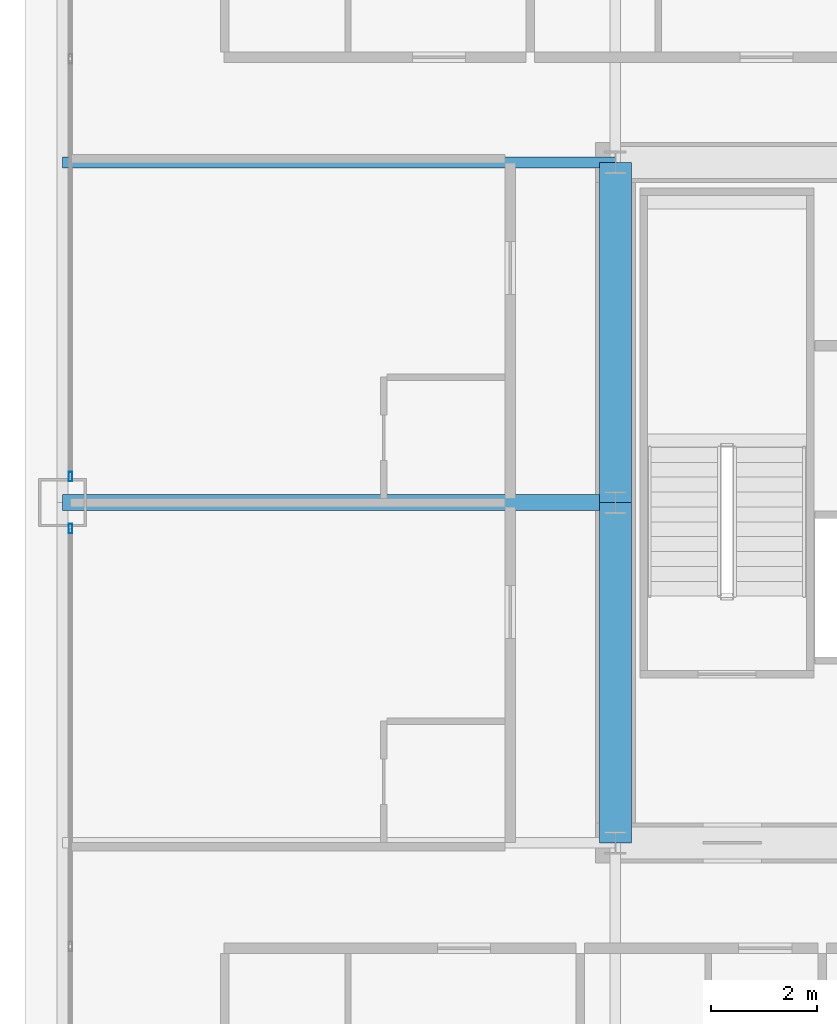
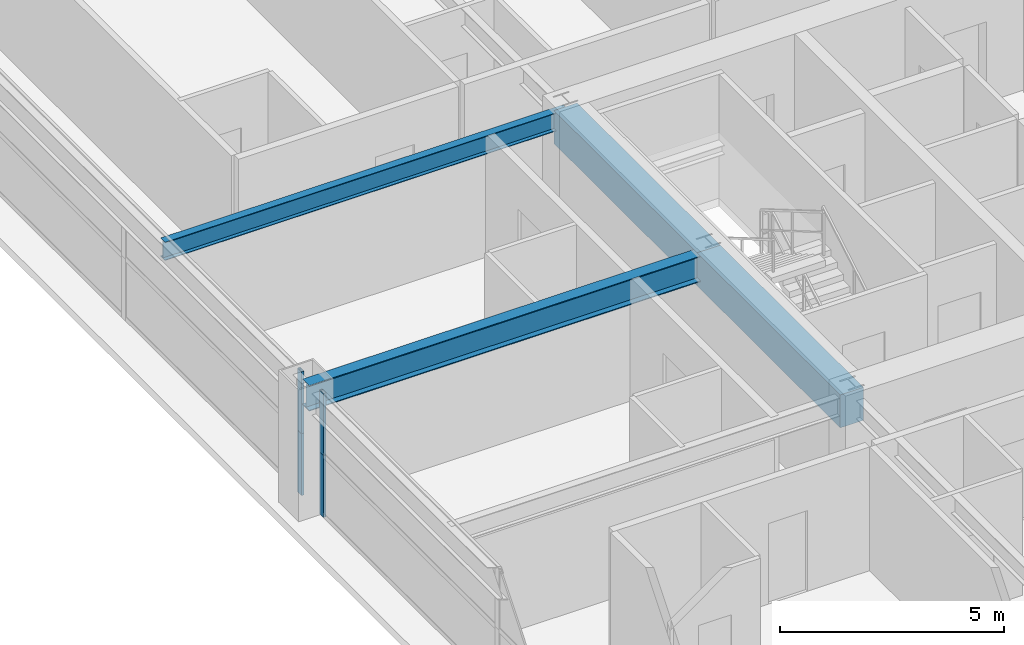
# One storey, part 11 of 38: 4 beams, 4 members, 2 elements without a shape of their own.
"""IFC4 building model written with IfcOpenShell, lengths in metres."""

from ifc_helpers import new_model, si_unit, direction, frame, origin, origin_2d, place, context, subcontext, project, spatial, rectangle, hollow_rectangle, i_section, extrude, source, transform, mapped, material, layer, layer_set, material_profile, profile_set, type_object, element, aggregate, save


model = new_model("IFC4")

# Units and contexts
model_context = context("Model", 3, precision=1e-05, world=origin(), true_north=direction((0.0, 1.0)))
body_context = subcontext(model_context, "Body", "Model", "MODEL_VIEW")
ifc_project = project(units=[si_unit("LENGTHUNIT", "METRE"), si_unit("AREAUNIT", "SQUARE_METRE"), si_unit("VOLUMEUNIT", "CUBIC_METRE"), si_unit("PLANEANGLEUNIT", "RADIAN"), si_unit("MASSUNIT", "GRAM", prefix="KILO"), si_unit("THERMODYNAMICTEMPERATUREUNIT", "KELVIN"), si_unit("POWERUNIT", "WATT")], contexts=[model_context])

# Site, building, storey
site_placement = place(None, origin())
site = spatial("IfcSite", under=ifc_project, at=site_placement, CompositionType="ELEMENT")
building_placement = place(site_placement, origin())
building = spatial("IfcBuilding", under=site, at=building_placement, Name="Yuzanri Waterfront Tower", CompositionType="ELEMENT")
storey_placement = place(building_placement, frame((0.0, 0.0, 97.39990234375)))
storey = spatial("IfcBuildingStorey", under=building, at=storey_placement, Name="L25", CompositionType="ELEMENT", Elevation=97.39990234375)

# Beams
ifc_material_1 = material(Name="Concrete C60", Category="concrete")
ifc_material_profile_1 = material_profile(ifc_material_1, rectangle(XDim=0.60009765625, YDim=0.89990234375, at=origin_2d()), Name="RC 600x900")
ifc_profile_set_1 = profile_set([ifc_material_profile_1], Name="Concrete C60")
beam_type_1 = type_object("IfcBeamType", Name="Core Coupling Lintel Concrete C60 600x900", PredefinedType="LINTEL", material=ifc_profile_set_1)
shared_shape_1 = source(origin(), body_context, "Body", "SweptSolid", [
    extrude(rectangle(XDim=0.60009765625, YDim=0.89990234375, at=origin_2d()), origin(), (0.0, 0.0, 1.0), 6.400146484375),
])
beam_1_placement = place(storey_placement, frame((23.800048828125, 19.39990234375, 2.93017578125), z_axis=(0.0, 1.0, 0.0), x_axis=(-1.0, 0.0, 0.0)))
element("IfcBeam", 1, at=beam_1_placement, inside=storey, type_object=beam_type_1, Name="L25 Core Tie Beam CW1", PredefinedType="LINTEL", context=body_context, shape_type="MappedRepresentation", body=[
    mapped(shared_shape_1, transform((0.0, 0.0, 0.0), scale=1.0)),
])
shared_shape_2 = source(origin(), body_context, "Body", "SweptSolid", [
    extrude(rectangle(XDim=0.60009765625, YDim=0.89990234375, at=origin_2d()), origin(), (0.0, 0.0, 1.0), 6.39990234375),
])
beam_2_placement = place(storey_placement, frame((23.800048828125, 25.800048828125, 2.93017578125), z_axis=(0.0, 1.0, 0.0), x_axis=(-1.0, 0.0, 0.0)))
element("IfcBeam", 2, at=beam_2_placement, inside=storey, type_object=beam_type_1, Name="L25 Core Tie Beam CW2", PredefinedType="LINTEL", context=body_context, shape_type="MappedRepresentation", body=[
    mapped(shared_shape_2, transform((0.0, 0.0, 0.0), scale=1.0)),
])
ifc_material_2 = material(Name="Steel Q355B", Category="steel")
ifc_material_profile_2 = material_profile(ifc_material_2, i_section(OverallWidth=0.300048828125, OverallDepth=0.699951171875, WebThickness=0.012939453125, FlangeThickness=0.02392578125, at=origin_2d()), Name="HN 700x300x13x24")
ifc_profile_set_2 = profile_set([ifc_material_profile_2], Name="Steel Q355B")
beam_type_2 = type_object("IfcBeamType", Name="Primary Floor Girder Q355B HN 700x300", PredefinedType="BEAM", material=ifc_profile_set_2)
shared_shape_3 = source(origin(), body_context, "Body", "SweptSolid", [
    extrude(i_section(OverallWidth=0.300048828125, OverallDepth=0.699951171875, WebThickness=0.012939453125, FlangeThickness=0.02392578125, at=origin_2d()), origin(), (0.0, 0.0, 1.0), 10.400146484375),
])
beam_3_placement = place(storey_placement, frame((23.800048828125, 25.800048828125, 3.030029296875), z_axis=(-1.0, 0.0, 0.0), x_axis=(0.0, -1.0, 0.0)))
element("IfcBeam", 3, at=beam_3_placement, inside=storey, type_object=beam_type_2, Name="L25 West Grid Girder", PredefinedType="BEAM", context=body_context, shape_type="MappedRepresentation", body=[
    mapped(shared_shape_3, transform((0.0, 0.0, 0.0), scale=1.0)),
])
ifc_material_3 = material(Name="Steel Q355B", Category="steel")
ifc_material_profile_3 = material_profile(ifc_material_3, i_section(OverallWidth=0.199951171875, OverallDepth=0.5, WebThickness=0.010009765625, FlangeThickness=0.01611328125, at=origin_2d()), Name="HN 500x200x10x16")
ifc_profile_set_3 = profile_set([ifc_material_profile_3], Name="Steel Q355B")
beam_type_3 = type_object("IfcBeamType", Name="Secondary Floor Beam Q355B HN 500x200", PredefinedType="BEAM", material=ifc_profile_set_3)
shared_shape_4 = source(origin(), body_context, "Body", "SweptSolid", [
    extrude(i_section(OverallWidth=0.199951171875, OverallDepth=0.5, WebThickness=0.010009765625, FlangeThickness=0.01611328125, at=origin_2d()), origin(), (0.0, 0.0, 1.0), 10.400146484375),
])
beam_4_placement = place(storey_placement, frame((23.800048828125, 32.199951171875, 3.130126953125), z_axis=(-1.0, 0.0, 0.0), x_axis=(0.0, -1.0, 0.0)))
element("IfcBeam", 4, at=beam_4_placement, inside=storey, type_object=beam_type_3, Name="L25 West-North Core Line Beam", PredefinedType="BEAM", context=body_context, shape_type="MappedRepresentation", body=[
    mapped(shared_shape_4, transform((0.0, 0.0, 0.0), scale=1.0)),
])

# Curtain wall, members
ifc_material_4 = material(Name="Anodized Architectural Bronze", Category="metal")
ifc_layer = layer(ifc_material_4, 0.159912109375)
ifc_layer_set = layer_set([ifc_layer], Name="Anodized Architectural Bronze")
curtain_wall_type = type_object("IfcCurtainWallType", Name="Anodized Bronze Hotel Upper-Tier Solar-Control Unitized Curtain Wall 7800", PredefinedType="NOTDEFINED", material=ifc_layer_set)
curtain_wall_1_placement = place(storey_placement, origin())
curtain_wall_1 = element("IfcCurtainWall", 5, at=curtain_wall_1_placement, inside=storey, type_object=curtain_wall_type, Name="L25 Curtain Wall CW-L25-WL", PredefinedType="NOTDEFINED")
ifc_material_5 = material(Name="Anodized Architectural Bronze", Category="metal")
ifc_material_profile_4 = material_profile(ifc_material_5, hollow_rectangle(XDim=0.070068359375, YDim=0.179931640625, WallThickness=0.00390625, at=origin_2d()), Name="CWM 70x180")
ifc_profile_set_4 = profile_set([ifc_material_profile_4], Name="Anodized Architectural Bronze")
member_type = type_object("IfcMemberType", Name="Anodized Bronze Standard Curtain-Wall Mullion 70x180", PredefinedType="MULLION", material=ifc_profile_set_4)
shared_shape_5 = source(origin(), body_context, "Body", "SweptSolid", [
    extrude(hollow_rectangle(XDim=0.070068359375, YDim=0.179931640625, WallThickness=0.00390625, at=origin_2d()), origin(), (0.0, 0.0, 1.0), 1.68798828125),
])
member_1_placement = place(storey_placement, frame((13.550048828125, 25.31005859375, 0.0), z_axis=(0.0, 0.0, 1.0), x_axis=(1.0, 0.0, 0.0)))
member_1 = element("IfcMember", 6, at=member_1_placement, type_object=member_type, Name="CW-L25-WL Lower Mullion 02", PredefinedType="MULLION", context=body_context, shape_type="MappedRepresentation", body=[
    mapped(shared_shape_5, transform((0.0, 0.0, 0.0), scale=1.0)),
])
member_2_placement = place(storey_placement, frame((13.550048828125, 25.31005859375, 1.692138671875), z_axis=(0.0, 0.0, 1.0), x_axis=(1.0, 0.0, 0.0)))
member_2 = element("IfcMember", 7, at=member_2_placement, type_object=member_type, Name="CW-L25-WL Upper Mullion 02", PredefinedType="MULLION", context=body_context, shape_type="MappedRepresentation", body=[
    mapped(shared_shape_5, transform((0.0, 0.0, 0.0), scale=1.0)),
])
aggregate(curtain_wall_1, [member_1, member_2])

curtain_wall_2_placement = place(storey_placement, origin())
curtain_wall_2 = element("IfcCurtainWall", 8, at=curtain_wall_2_placement, inside=storey, type_object=curtain_wall_type, Name="L25 Curtain Wall CW-L25-WR", PredefinedType="NOTDEFINED")
member_3_placement = place(storey_placement, frame((13.550048828125, 26.2900390625, 0.0), z_axis=(0.0, 0.0, 1.0), x_axis=(1.0, 0.0, 0.0)))
member_3 = element("IfcMember", 9, at=member_3_placement, type_object=member_type, Name="CW-L25-WR Lower Mullion 00", PredefinedType="MULLION", context=body_context, shape_type="MappedRepresentation", body=[
    mapped(shared_shape_5, transform((0.0, 0.0, 0.0), scale=1.0)),
])
member_4_placement = place(storey_placement, frame((13.550048828125, 26.2900390625, 1.692138671875), z_axis=(0.0, 0.0, 1.0), x_axis=(1.0, 0.0, 0.0)))
member_4 = element("IfcMember", 10, at=member_4_placement, type_object=member_type, Name="CW-L25-WR Upper Mullion 00", PredefinedType="MULLION", context=body_context, shape_type="MappedRepresentation", body=[
    mapped(shared_shape_5, transform((0.0, 0.0, 0.0), scale=1.0)),
])
aggregate(curtain_wall_2, [member_3, member_4])

save(model, "model.ifc")
